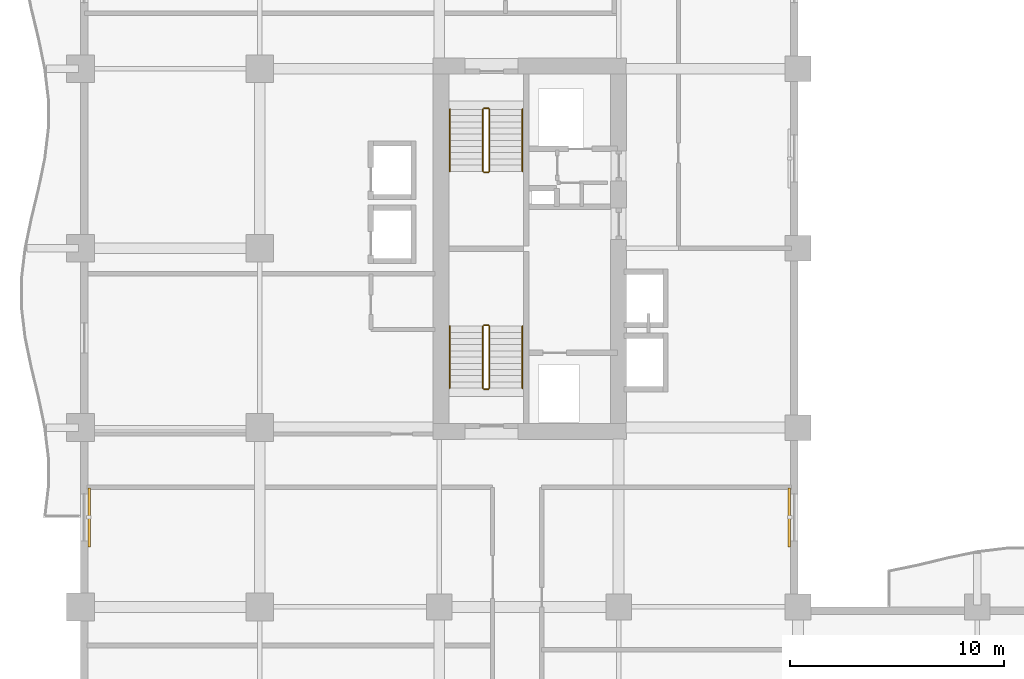
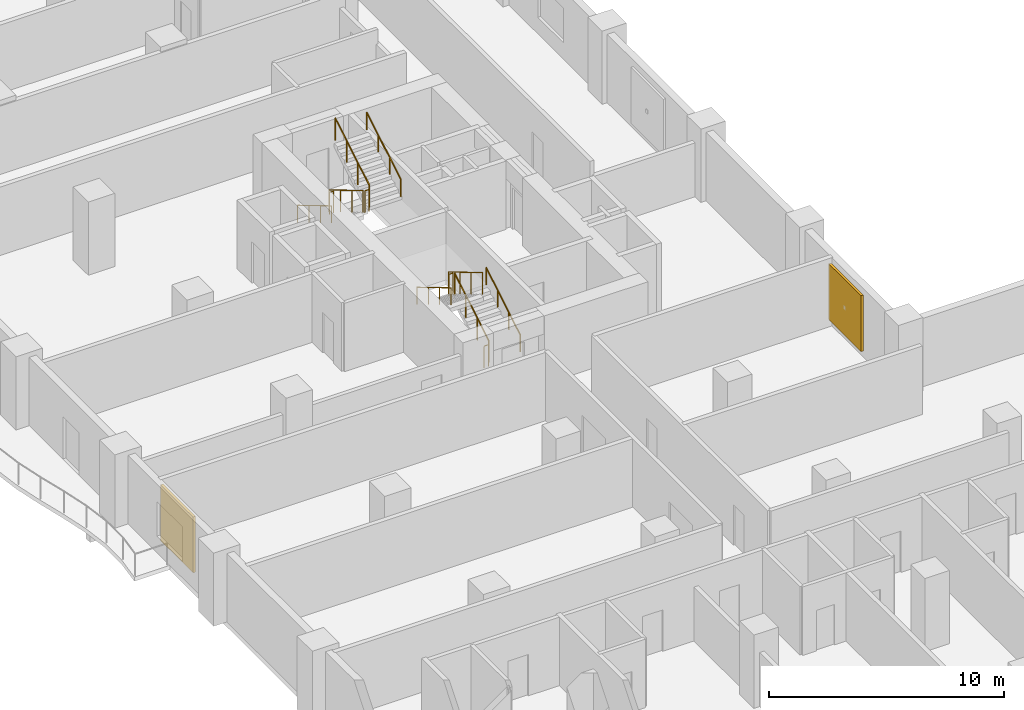
# One storey, part 16 of 17: 12 railings, 2 shading devices.
"""IFC4 building model written with IfcOpenShell, lengths in metres."""

from ifc_helpers import new_model, si_unit, direction, frame, origin, origin_2d, place, context, subcontext, project, spatial, rectangle, circle, extrude, material, layer, layer_set, type_object, element, save


model = new_model("IFC4")

# Units and contexts
model_context = context("Model", 3, precision=1e-05, world=origin(), true_north=direction((0.0, 1.0)))
body_context = subcontext(model_context, "Body", "Model", "MODEL_VIEW")
ifc_project = project(units=[si_unit("LENGTHUNIT", "METRE"), si_unit("AREAUNIT", "SQUARE_METRE"), si_unit("VOLUMEUNIT", "CUBIC_METRE"), si_unit("PLANEANGLEUNIT", "RADIAN"), si_unit("MASSUNIT", "GRAM", prefix="KILO")], contexts=[model_context])

# Site, building, storey
site_placement = place(None, origin())
site = spatial("IfcSite", under=ifc_project, at=site_placement, CompositionType="ELEMENT")
building_placement = place(site_placement, origin())
building = spatial("IfcBuilding", under=site, at=building_placement, Name="Koriwani Terraces Tower", CompositionType="ELEMENT")
storey_placement = place(building_placement, frame((0.0, 0.0, 122.800048828125)))
storey = spatial("IfcBuildingStorey", under=building, at=storey_placement, Name="L29", CompositionType="ELEMENT", Elevation=122.800048828125)

# Railings
ifc_material_1 = material(Name="Steel ASTM A572 Grade 50", Category="steel")
railing_type_1 = type_object("IfcRailingType", Name="GUARD_STAIR_WELL_1120", PredefinedType="GUARDRAIL", material=ifc_material_1)
railing_1_placement = place(storey_placement, frame((19.14990234375, 43.85009765625, 0.172607421875)))
element("IfcRailing", 1, at=railing_1_placement, inside=storey, type_object=railing_type_1, Name="L29 ST-W1 stair guard 1", PredefinedType="GUARDRAIL", context=body_context, shape_type="SweptSolid", body=[
    extrude(circle(Radius=0.02392578125, at=origin_2d()), frame((0.0, 0.0, 1.1259765625), z_axis=(0.0, 0.859141464434, 0.511738159696), x_axis=(-1.0, 0.0, 0.0)), (0.0, 0.0, 1.0), 3.375244140625),
    extrude(circle(Radius=0.02099609375, at=origin_2d()), origin(), (0.0, 0.0, 1.0), 1.101806640625),
    extrude(circle(Radius=0.02099609375, at=origin_2d()), frame((0.0, 0.966552734375, 0.57568359375)), (0.0, 0.0, 1.0), 1.101806640625),
    extrude(circle(Radius=0.02099609375, at=origin_2d()), frame((0.0, 1.933349609375, 1.151611328125)), (0.0, 0.0, 1.0), 1.101806640625),
    extrude(circle(Radius=0.02099609375, at=origin_2d()), frame((0.0, 2.89990234375, 1.727294921875)), (0.0, 0.0, 1.0), 1.101806640625),
])
railing_2_placement = place(storey_placement, frame((19.10009765625, 46.800048828125, 1.89990234375)))
element("IfcRailing", 2, at=railing_2_placement, inside=storey, type_object=railing_type_1, Name="L29 ST-W1 stair guard 2", PredefinedType="GUARDRAIL", context=body_context, shape_type="SweptSolid", body=[
    extrude(circle(Radius=0.02392578125, at=origin_2d()), frame((0.0, 0.0, 1.1259765625), z_axis=(-1.0, 0.0, 0.0), x_axis=(0.0, -1.0, 0.0)), (0.0, 0.0, 1.0), 0.2001953125),
    extrude(circle(Radius=0.02099609375, at=origin_2d()), origin(), (0.0, 0.0, 1.0), 1.101806640625),
    extrude(circle(Radius=0.02099609375, at=origin_2d()), frame((-0.2001953125, 0.0, 0.0)), (0.0, 0.0, 1.0), 1.101806640625),
])
railing_3_placement = place(storey_placement, frame((18.85009765625, 46.75, 2.07275390625)))
element("IfcRailing", 3, at=railing_3_placement, inside=storey, type_object=railing_type_1, Name="L29 ST-W1 stair guard 3", PredefinedType="GUARDRAIL", context=body_context, shape_type="SweptSolid", body=[
    extrude(circle(Radius=0.02392578125, at=origin_2d()), frame((0.0, 0.0, 1.1259765625), z_axis=(0.0, -0.859141464434, 0.511738159696), x_axis=(1.0, 0.0, 0.0)), (0.0, 0.0, 1.0), 3.375244140625),
    extrude(circle(Radius=0.02099609375, at=origin_2d()), origin(), (0.0, 0.0, 1.0), 1.101806640625),
    extrude(circle(Radius=0.02099609375, at=origin_2d()), frame((0.0, -0.966552734375, 0.57568359375)), (0.0, 0.0, 1.0), 1.101806640625),
    extrude(circle(Radius=0.02099609375, at=origin_2d()), frame((0.0, -1.933349609375, 1.151611328125)), (0.0, 0.0, 1.0), 1.101806640625),
    extrude(circle(Radius=0.02099609375, at=origin_2d()), frame((0.0, -2.89990234375, 1.727294921875)), (0.0, 0.0, 1.0), 1.101806640625),
])
railing_4_placement = place(storey_placement, frame((19.10009765625, 43.800048828125, 0.0)))
element("IfcRailing", 4, at=railing_4_placement, inside=storey, type_object=railing_type_1, Name="L29 ST-W1 stair guard 4", PredefinedType="GUARDRAIL", context=body_context, shape_type="SweptSolid", body=[
    extrude(circle(Radius=0.02392578125, at=origin_2d()), frame((0.0, 0.0, 1.1259765625), z_axis=(-1.0, 0.0, 0.0), x_axis=(0.0, -1.0, 0.0)), (0.0, 0.0, 1.0), 0.2001953125),
    extrude(circle(Radius=0.02099609375, at=origin_2d()), origin(), (0.0, 0.0, 1.0), 1.101806640625),
    extrude(circle(Radius=0.02099609375, at=origin_2d()), frame((-0.2001953125, 0.0, 0.0)), (0.0, 0.0, 1.0), 1.101806640625),
])
railing_5_placement = place(storey_placement, frame((18.85009765625, 56.89990234375, 0.172607421875)))
element("IfcRailing", 5, at=railing_5_placement, inside=storey, type_object=railing_type_1, Name="L29 ST-W2 stair guard 1", PredefinedType="GUARDRAIL", context=body_context, shape_type="SweptSolid", body=[
    extrude(circle(Radius=0.02392578125, at=origin_2d()), frame((0.0, 0.0, 1.1259765625), z_axis=(0.0, -0.859141464434, 0.511738159696), x_axis=(1.0, 0.0, 0.0)), (0.0, 0.0, 1.0), 3.375244140625),
    extrude(circle(Radius=0.02099609375, at=origin_2d()), origin(), (0.0, 0.0, 1.0), 1.101806640625),
    extrude(circle(Radius=0.02099609375, at=origin_2d()), frame((0.0, -0.966552734375, 0.57568359375)), (0.0, 0.0, 1.0), 1.101806640625),
    extrude(circle(Radius=0.02099609375, at=origin_2d()), frame((0.0, -1.933349609375, 1.151611328125)), (0.0, 0.0, 1.0), 1.101806640625),
    extrude(circle(Radius=0.02099609375, at=origin_2d()), frame((0.0, -2.89990234375, 1.727294921875)), (0.0, 0.0, 1.0), 1.101806640625),
])
railing_6_placement = place(storey_placement, frame((18.89990234375, 53.949951171875, 1.89990234375)))
element("IfcRailing", 6, at=railing_6_placement, inside=storey, type_object=railing_type_1, Name="L29 ST-W2 stair guard 2", PredefinedType="GUARDRAIL", context=body_context, shape_type="SweptSolid", body=[
    extrude(circle(Radius=0.02392578125, at=origin_2d()), frame((0.0, 0.0, 1.1259765625), z_axis=(1.0, 0.0, 0.0), x_axis=(0.0, 1.0, 0.0)), (0.0, 0.0, 1.0), 0.2001953125),
    extrude(circle(Radius=0.02099609375, at=origin_2d()), origin(), (0.0, 0.0, 1.0), 1.101806640625),
    extrude(circle(Radius=0.02099609375, at=origin_2d()), frame((0.2001953125, 0.0, 0.0)), (0.0, 0.0, 1.0), 1.101806640625),
])
railing_7_placement = place(storey_placement, frame((19.14990234375, 54.0, 2.07275390625)))
element("IfcRailing", 7, at=railing_7_placement, inside=storey, type_object=railing_type_1, Name="L29 ST-W2 stair guard 3", PredefinedType="GUARDRAIL", context=body_context, shape_type="SweptSolid", body=[
    extrude(circle(Radius=0.02392578125, at=origin_2d()), frame((0.0, 0.0, 1.1259765625), z_axis=(0.0, 0.859141464434, 0.511738159696), x_axis=(-1.0, 0.0, 0.0)), (0.0, 0.0, 1.0), 3.375244140625),
    extrude(circle(Radius=0.02099609375, at=origin_2d()), origin(), (0.0, 0.0, 1.0), 1.101806640625),
    extrude(circle(Radius=0.02099609375, at=origin_2d()), frame((0.0, 0.966552734375, 0.57568359375)), (0.0, 0.0, 1.0), 1.101806640625),
    extrude(circle(Radius=0.02099609375, at=origin_2d()), frame((0.0, 1.933349609375, 1.151611328125)), (0.0, 0.0, 1.0), 1.101806640625),
    extrude(circle(Radius=0.02099609375, at=origin_2d()), frame((0.0, 2.89990234375, 1.727294921875)), (0.0, 0.0, 1.0), 1.101806640625),
])
railing_8_placement = place(storey_placement, frame((18.89990234375, 56.949951171875, 0.0)))
element("IfcRailing", 8, at=railing_8_placement, inside=storey, type_object=railing_type_1, Name="L29 ST-W2 stair guard 4", PredefinedType="GUARDRAIL", context=body_context, shape_type="SweptSolid", body=[
    extrude(circle(Radius=0.02392578125, at=origin_2d()), frame((0.0, 0.0, 1.1259765625), z_axis=(1.0, 0.0, 0.0), x_axis=(0.0, 1.0, 0.0)), (0.0, 0.0, 1.0), 0.2001953125),
    extrude(circle(Radius=0.02099609375, at=origin_2d()), origin(), (0.0, 0.0, 1.0), 1.101806640625),
    extrude(circle(Radius=0.02099609375, at=origin_2d()), frame((0.2001953125, 0.0, 0.0)), (0.0, 0.0, 1.0), 1.101806640625),
])
railing_type_2 = type_object("IfcRailingType", Name="HANDRAIL_STAIR_920", PredefinedType="HANDRAIL", material=ifc_material_1)
railing_9_placement = place(storey_placement, frame((20.699951171875, 43.85009765625, 0.172607421875)))
element("IfcRailing", 9, at=railing_9_placement, inside=storey, type_object=railing_type_2, Name="L29 ST-W1 stair handrail 1", PredefinedType="HANDRAIL", context=body_context, shape_type="SweptSolid", body=[
    extrude(circle(Radius=0.02392578125, at=origin_2d()), frame((0.0, 0.0, 0.8759765625), z_axis=(0.0, 0.859141464434, 0.511738159696), x_axis=(-1.0, 0.0, 0.0)), (0.0, 0.0, 1.0), 3.375244140625),
    extrude(circle(Radius=0.02099609375, at=origin_2d()), origin(), (0.0, 0.0, 1.0), 0.851806640625),
    extrude(circle(Radius=0.02099609375, at=origin_2d()), frame((0.0, 0.966552734375, 0.57568359375)), (0.0, 0.0, 1.0), 0.851806640625),
    extrude(circle(Radius=0.02099609375, at=origin_2d()), frame((0.0, 1.933349609375, 1.151611328125)), (0.0, 0.0, 1.0), 0.851806640625),
    extrude(circle(Radius=0.02099609375, at=origin_2d()), frame((0.0, 2.89990234375, 1.727294921875)), (0.0, 0.0, 1.0), 0.851806640625),
])
for number, where, name in (
    (10, (17.300048828125, 46.75, 2.07275390625), "L29 ST-W1 stair handrail 2"),
    (11, (17.300048828125, 56.89990234375, 0.172607421875), "L29 ST-W2 stair handrail 1"),
):
    element("IfcRailing", number, at=place(storey_placement, frame(where)), inside=storey, type_object=railing_type_2, Name=name, PredefinedType="HANDRAIL", context=body_context, shape_type="SweptSolid", body=[
        extrude(circle(Radius=0.02392578125, at=origin_2d()), frame((0.0, 0.0, 0.8759765625), z_axis=(0.0, -0.859141464434, 0.511738159696), x_axis=(1.0, 0.0, 0.0)), (0.0, 0.0, 1.0), 3.375244140625),
        extrude(circle(Radius=0.02099609375, at=origin_2d()), origin(), (0.0, 0.0, 1.0), 0.851806640625),
        extrude(circle(Radius=0.02099609375, at=origin_2d()), frame((0.0, -0.966552734375, 0.57568359375)), (0.0, 0.0, 1.0), 0.851806640625),
        extrude(circle(Radius=0.02099609375, at=origin_2d()), frame((0.0, -1.933349609375, 1.151611328125)), (0.0, 0.0, 1.0), 0.851806640625),
        extrude(circle(Radius=0.02099609375, at=origin_2d()), frame((0.0, -2.89990234375, 1.727294921875)), (0.0, 0.0, 1.0), 0.851806640625),
    ])
railing_10_placement = place(storey_placement, frame((20.699951171875, 54.0, 2.07275390625)))
element("IfcRailing", 12, at=railing_10_placement, inside=storey, type_object=railing_type_2, Name="L29 ST-W2 stair handrail 2", PredefinedType="HANDRAIL", context=body_context, shape_type="SweptSolid", body=[
    extrude(circle(Radius=0.02392578125, at=origin_2d()), frame((0.0, 0.0, 0.8759765625), z_axis=(0.0, 0.859141464434, 0.511738159696), x_axis=(-1.0, 0.0, 0.0)), (0.0, 0.0, 1.0), 3.375244140625),
    extrude(circle(Radius=0.02099609375, at=origin_2d()), origin(), (0.0, 0.0, 1.0), 0.851806640625),
    extrude(circle(Radius=0.02099609375, at=origin_2d()), frame((0.0, 0.966552734375, 0.57568359375)), (0.0, 0.0, 1.0), 0.851806640625),
    extrude(circle(Radius=0.02099609375, at=origin_2d()), frame((0.0, 1.933349609375, 1.151611328125)), (0.0, 0.0, 1.0), 0.851806640625),
    extrude(circle(Radius=0.02099609375, at=origin_2d()), frame((0.0, 2.89990234375, 1.727294921875)), (0.0, 0.0, 1.0), 0.851806640625),
])

# Shading devices
ifc_material_2 = material(Name="Extruded Terracotta Clay", Category="masonry")
ifc_layer = layer(ifc_material_2, 0.1201171875, Name="Extruded Terracotta Clay")
ifc_layer_set = layer_set([ifc_layer], Name="Extruded Terracotta Clay")
shading_device_type = type_object("IfcShadingDeviceType", Name="TERRACOTTA_BAGUETTE_SCREEN_2800", PredefinedType="USERDEFINED", material=ifc_layer_set)
for number, where, z_axis, x_axis, name in (
    (13, (0.405029296875, 37.800048828125, 0.324951171875), (0.0, 0.0, 1.0), (0.0, 1.0, 0.0), "L29 Extruded Terracotta Baguette Screen (W-12)"),
    (14, (33.195068359375, 37.800048828125, 0.324951171875), (0.0, 0.0, 1.0), (0.0, -1.0, 0.0), "L29 Extruded Terracotta Baguette Screen (NW_IN-2)"),
):
    element("IfcShadingDevice", number, at=place(storey_placement, frame(where, z_axis=z_axis, x_axis=x_axis)), inside=storey, type_object=shading_device_type, Name=name, ObjectType="BAGUETTE", PredefinedType="USERDEFINED", context=body_context, shape_type="SweptSolid", body=[
        extrude(rectangle(XDim=2.760009765625, YDim=0.1201171875, at=origin_2d()), origin(), (0.0, 0.0, 1.0), 2.89990234375),
    ])

save(model, "model.ifc")
